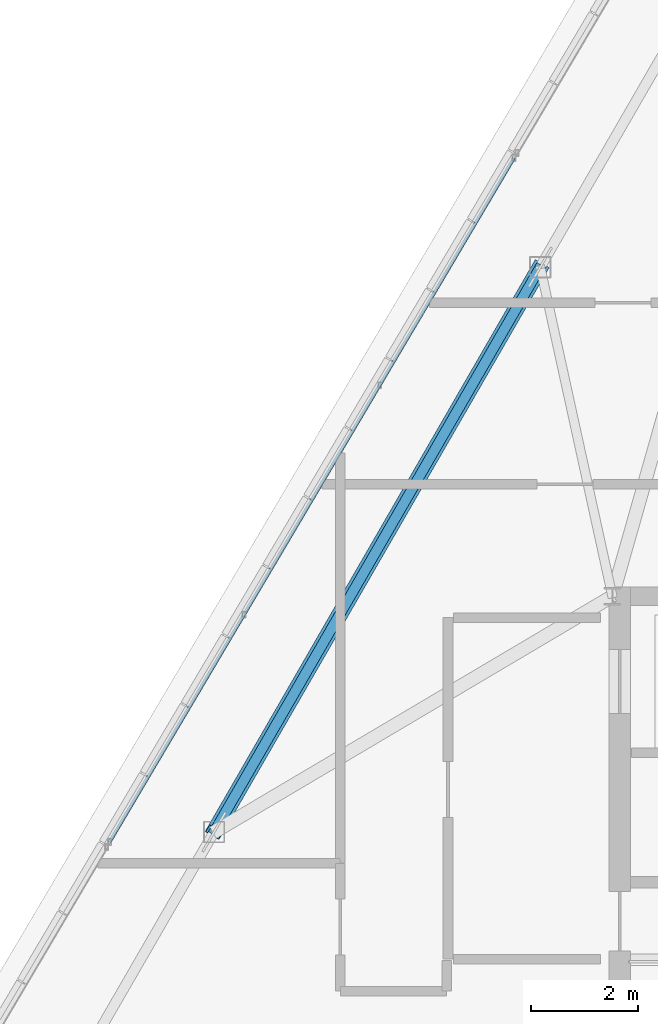
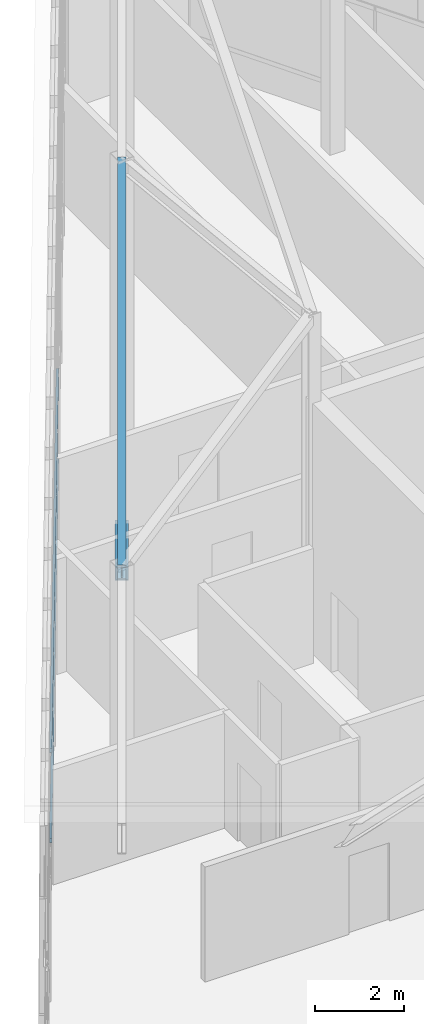
# One storey, part 17 of 50: 3 members, 1 beam, 1 element without a shape of its own.
"""IFC4 building model written with IfcOpenShell, lengths in metres."""

from ifc_helpers import new_model, si_unit, direction, frame, origin, origin_2d, place, context, subcontext, project, spatial, hollow_rectangle, i_section, extrude, source, transform, mapped, material, material_profile, profile_set, type_object, type_shapes, element, aggregate, save


model = new_model("IFC4")

# Units and contexts
model_context = context("Model", 3, precision=1e-05, world=origin(), true_north=direction((0.0, 1.0)))
body_context = subcontext(model_context, "Body", "Model", "MODEL_VIEW")
ifc_project = project(units=[si_unit("LENGTHUNIT", "METRE"), si_unit("AREAUNIT", "SQUARE_METRE"), si_unit("VOLUMEUNIT", "CUBIC_METRE"), si_unit("PLANEANGLEUNIT", "RADIAN"), si_unit("MASSUNIT", "GRAM", prefix="KILO")], contexts=[model_context])

# Site, building, storey
site_placement = place(None, origin())
site = spatial("IfcSite", under=ifc_project, at=site_placement, CompositionType="ELEMENT")
building_placement = place(site_placement, origin())
building = spatial("IfcBuilding", under=site, at=building_placement, Name="Caelisora Broadcast Tower", CompositionType="ELEMENT")
storey_placement = place(building_placement, frame((0.0, 0.0, 303.39990234375)))
storey = spatial("IfcBuildingStorey", under=building, at=storey_placement, Name="L80", CompositionType="ELEMENT", Elevation=303.39990234375)

# Member
ifc_material_1 = material(Name="Steel Grade 450 (AS/NZS 1163 C450L0)", Category="steel")
ifc_material_profile_1 = material_profile(ifc_material_1, hollow_rectangle(XDim=0.300048828125, YDim=0.300048828125, WallThickness=0.012451171875, at=origin_2d()), Name="Steel Grade 450 (AS/NZS 1163 C450L0)")
ifc_profile_set_1 = profile_set([ifc_material_profile_1], Name="Steel Grade 450 (AS/NZS 1163 C450L0)")
member_type_1 = type_object("IfcMemberType", Name="BR06", PredefinedType="BRACE", material=ifc_profile_set_1)
shared_shape_1 = source(origin(), body_context, "Body", "SweptSolid", [
    extrude(hollow_rectangle(XDim=0.300048828125, YDim=0.300048828125, WallThickness=0.012451171875, at=origin_2d()), origin(), (0.0, 0.0, 1.0), 14.2265625),
])
type_shapes(member_type_1, [shared_shape_1])
member_1_placement = place(storey_placement, frame((29.1484375, 36.168701171875, 0.10009765625), z_axis=(-0.429657813542, -0.744200213367, 0.511429570603), x_axis=(0.866028618627, -0.499994431688, 0.0)))
element("IfcMember", 1, at=member_1_placement, inside=storey, type_object=member_type_1, Name="L80 perimeter brace BR06", PredefinedType="BRACE", context=body_context, shape_type="MappedRepresentation", body=[
    mapped(shared_shape_1, transform((0.0, 0.0, 0.0), scale=1.0)),
])

# Beam
ifc_material_2 = material(Name="Steel Grade 350 (AS/NZS 3679.1)", Category="steel")
ifc_material_profile_2 = material_profile(ifc_material_2, i_section(OverallWidth=0.19091796875, OverallDepth=0.46044921875, WebThickness=0.010009765625, FlangeThickness=0.01611328125, at=origin_2d()), Name="Steel Grade 350 (AS/NZS 3679.1)")
ifc_profile_set_2 = profile_set([ifc_material_profile_2], Name="Steel Grade 350 (AS/NZS 3679.1)")
beam_type = type_object("IfcBeamType", Name="RB01", PredefinedType="USERDEFINED", material=ifc_profile_set_2)
shared_shape_2 = source(origin(), body_context, "Body", "SweptSolid", [
    extrude(i_section(OverallWidth=0.19091796875, OverallDepth=0.46044921875, WebThickness=0.010009765625, FlangeThickness=0.01611328125, at=origin_2d()), origin(), (0.0, 0.0, 1.0), 12.50439453125),
])
type_shapes(beam_type, [shared_shape_2])
beam_placement = place(storey_placement, frame((29.1484375, 36.168701171875, 10.048583984375), z_axis=(-0.488828184928, -0.846687824723, -0.210158828237), x_axis=(0.866028618627, -0.499994431688, 0.0)))
element("IfcBeam", 2, at=beam_placement, inside=storey, type_object=beam_type, Name="L80 beam RB01", ObjectType="RAFTER", PredefinedType="USERDEFINED", context=body_context, shape_type="MappedRepresentation", body=[
    mapped(shared_shape_2, transform((0.0, 0.0, 0.0), scale=1.0)),
])

# Curtain wall, members
ifc_material_3 = material(Name="Unitised Aluminium Insulated Shadow-Box Spandrel Curtain Wall", Category="aluminium")
curtain_wall_type = type_object("IfcCurtainWallType", Name="CW-SP3", PredefinedType="NOTDEFINED", material=ifc_material_3)
curtain_wall_placement = place(storey_placement, origin())
curtain_wall = element("IfcCurtainWall", 3, at=curtain_wall_placement, inside=storey, type_object=curtain_wall_type, Name="L80 curtain wall CW-SP3", PredefinedType="NOTDEFINED")
ifc_material_4 = material(Name="Aluminium 6063-T6 Anodised Terracotta Bronze", Category="aluminium")
ifc_material_profile_3 = material_profile(ifc_material_4, hollow_rectangle(XDim=0.06005859375, YDim=0.1201171875, WallThickness=0.0029296875, at=origin_2d()), Name="Aluminium 6063-T6 Anodised Terracotta Bronze")
ifc_profile_set_3 = profile_set([ifc_material_profile_3], Name="Aluminium 6063-T6 Anodised Terracotta Bronze")
member_type_2 = type_object("IfcMemberType", Name="CWT-03", PredefinedType="USERDEFINED", material=ifc_profile_set_3)
shared_shape_3 = source(origin(), body_context, "Body", "SweptSolid", [
    extrude(hollow_rectangle(XDim=0.06005859375, YDim=0.1201171875, WallThickness=0.0029296875, at=origin_2d()), origin(), (0.0, 0.0, 1.0), 14.892578125),
])
type_shapes(member_type_2, [shared_shape_3])
member_2_placement = place(storey_placement, frame((21.07763671875, 25.39404296875, 0.85009765625), z_axis=(0.508884501585, 0.860834806479, 0.0), x_axis=(-0.860834806479, 0.508884501585, 0.0)))
member_2 = element("IfcMember", 4, at=member_2_placement, type_object=member_type_2, Name="L80-CW-B10 transom #1", ObjectType="TRANSOM", PredefinedType="USERDEFINED", context=body_context, shape_type="MappedRepresentation", body=[
    mapped(shared_shape_3, transform((0.0, 0.0, 0.0), scale=1.0)),
])
member_3_placement = place(storey_placement, frame((21.07763671875, 25.39404296875, 3.320068359375), z_axis=(0.508884501585, 0.860834806479, 0.0), x_axis=(-0.860834806479, 0.508884501585, 0.0)))
member_3 = element("IfcMember", 5, at=member_3_placement, type_object=member_type_2, Name="L80-CW-B10 transom #2", ObjectType="TRANSOM", PredefinedType="USERDEFINED", context=body_context, shape_type="MappedRepresentation", body=[
    mapped(shared_shape_3, transform((0.0, 0.0, 0.0), scale=1.0)),
])
aggregate(curtain_wall, [member_2, member_3])

save(model, "model.ifc")
